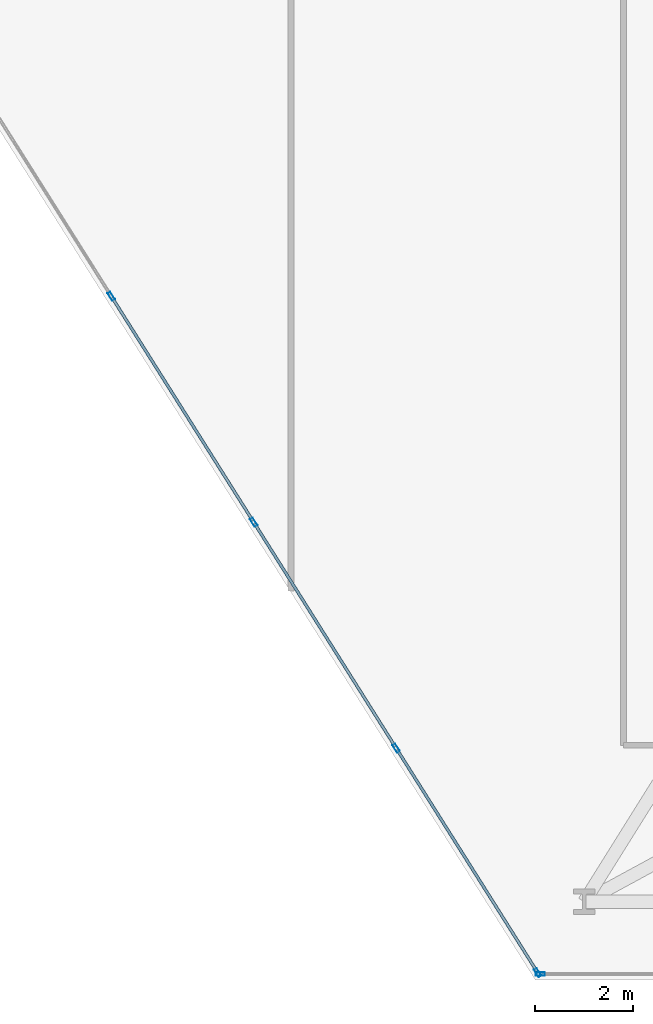
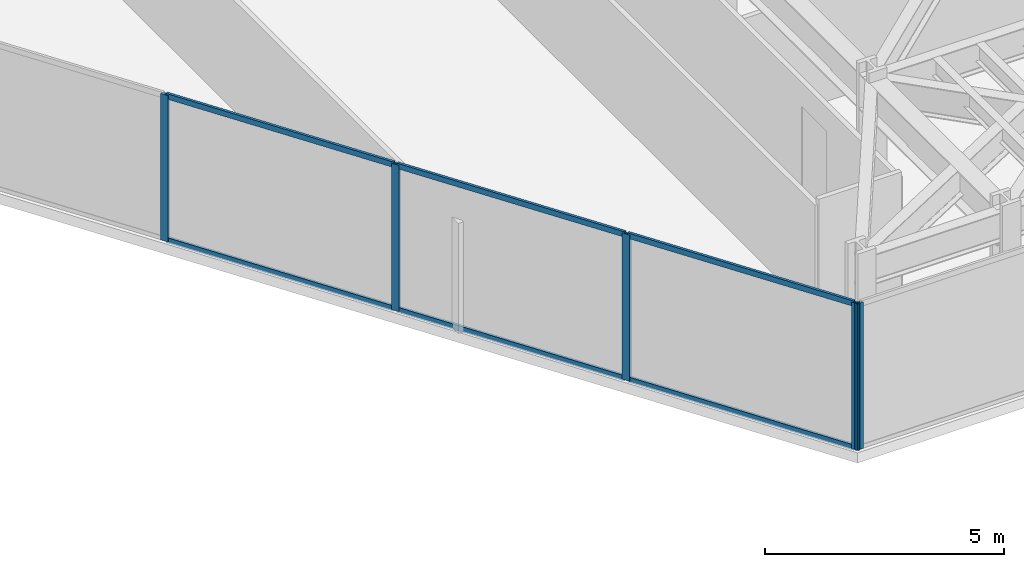
# One storey, part 12 of 25: 11 members, 2 elements without a shape of their own.
"""IFC4 building model written with IfcOpenShell, lengths in metres."""

from ifc_helpers import new_model, si_unit, direction, frame, origin, origin_2d, place, context, subcontext, project, spatial, hollow_rectangle, extrude, material, layer, layer_set, material_profile, profile_set, type_object, element, aggregate, save


model = new_model("IFC4")

# Units and contexts
model_context = context("Model", 3, precision=1e-05, world=origin(), true_north=direction((0.0, 1.0)))
body_context = subcontext(model_context, "Body", "Model", "MODEL_VIEW")
ifc_project = project(units=[si_unit("LENGTHUNIT", "METRE"), si_unit("AREAUNIT", "SQUARE_METRE"), si_unit("VOLUMEUNIT", "CUBIC_METRE"), si_unit("PLANEANGLEUNIT", "RADIAN"), si_unit("MASSUNIT", "GRAM", prefix="KILO")], contexts=[model_context])

# Site, building, storey
site_placement = place(None, origin())
site = spatial("IfcSite", under=ifc_project, at=site_placement, CompositionType="ELEMENT")
building_placement = place(site_placement, origin())
building = spatial("IfcBuilding", under=site, at=building_placement, Name="Kravanh Interchange Tower", CompositionType="ELEMENT")
storey_placement = place(building_placement, frame((0.0, 0.0, 49.5)))
storey = spatial("IfcBuildingStorey", under=building, at=storey_placement, Name="L11", CompositionType="ELEMENT", Elevation=49.5)

# Curtain wall, member
ifc_material_1 = material(Name="Anodised Bronze Aluminium", Category="aluminium")
ifc_layer = layer(ifc_material_1, 0.179931640625)
ifc_layer_set = layer_set([ifc_layer], Name="Unitised Curtain Wall System CW-Z1 Lower Office")
curtain_wall_type = type_object("IfcCurtainWallType", Name="Unitised Curtain Wall System CW-Z1 Lower Office", PredefinedType="NOTDEFINED", material=ifc_layer_set)
curtain_wall_1_placement = place(storey_placement, origin())
curtain_wall_1 = element("IfcCurtainWall", 1, at=curtain_wall_1_placement, inside=storey, type_object=curtain_wall_type, Name="L11 Unitised Curtain Wall CW-L11-03", PredefinedType="NOTDEFINED")
ifc_material_2 = material(Name="Anodised Bronze Aluminium", Category="aluminium")
ifc_material_profile_1 = material_profile(ifc_material_2, hollow_rectangle(XDim=0.070068359375, YDim=0.179931640625, WallThickness=0.00390625, at=origin_2d()), Name="ALU70X180X4")
ifc_profile_set_1 = profile_set([ifc_material_profile_1], Name="Anodised Bronze Aluminium")
member_type_1 = type_object("IfcMemberType", Name="Curtain Wall Mullion ALU70X180X4 Bronze", PredefinedType="MULLION", material=ifc_profile_set_1)
member_1_placement = place(storey_placement, frame((51.601318359375, 1.1201171875, 0.0), z_axis=(0.0, 0.0, 1.0), x_axis=(0.0, -1.0, 0.0)))
member_1 = element("IfcMember", 2, at=member_1_placement, type_object=member_type_1, Name="CW-Z1 mullion 3", PredefinedType="MULLION", context=body_context, shape_type="SweptSolid", body=[
    extrude(hollow_rectangle(XDim=0.070068359375, YDim=0.179931640625, WallThickness=0.00390625, at=origin_2d()), origin(), (0.0, 0.0, 1.0), 3.739990234375),
])
aggregate(curtain_wall_1, [member_1])

# Curtain wall, members
curtain_wall_2_placement = place(storey_placement, origin())
curtain_wall_2 = element("IfcCurtainWall", 3, at=curtain_wall_2_placement, inside=storey, type_object=curtain_wall_type, Name="L11 Unitised Curtain Wall CW-L11-04", PredefinedType="NOTDEFINED")
member_2_placement = place(storey_placement, frame((51.547607421875, 1.149658203125, 0.0), z_axis=(0.0, 0.0, 1.0), x_axis=(-0.845925530786, -0.53330103728, 0.0)))
member_2 = element("IfcMember", 4, at=member_2_placement, type_object=member_type_1, Name="CW-Z1 mullion 1", PredefinedType="MULLION", context=body_context, shape_type="SweptSolid", body=[
    extrude(hollow_rectangle(XDim=0.070068359375, YDim=0.179931640625, WallThickness=0.00390625, at=origin_2d()), origin(), (0.0, 0.0, 1.0), 3.739990234375),
])
member_3_placement = place(storey_placement, frame((48.653076171875, 5.740966796875, 0.0), z_axis=(0.0, 0.0, 1.0), x_axis=(-0.845925530786, -0.53330103728, 0.0)))
member_3 = element("IfcMember", 5, at=member_3_placement, type_object=member_type_1, Name="CW-Z1 mullion 2", PredefinedType="MULLION", context=body_context, shape_type="SweptSolid", body=[
    extrude(hollow_rectangle(XDim=0.070068359375, YDim=0.179931640625, WallThickness=0.00390625, at=origin_2d()), origin(), (0.0, 0.0, 1.0), 3.739990234375),
])
member_4_placement = place(storey_placement, frame((45.73974609375, 10.362060546875, 0.0), z_axis=(0.0, 0.0, 1.0), x_axis=(-0.845925530786, -0.53330103728, 0.0)))
member_4 = element("IfcMember", 6, at=member_4_placement, type_object=member_type_1, Name="CW-Z1 mullion 3", PredefinedType="MULLION", context=body_context, shape_type="SweptSolid", body=[
    extrude(hollow_rectangle(XDim=0.070068359375, YDim=0.179931640625, WallThickness=0.00390625, at=origin_2d()), origin(), (0.0, 0.0, 1.0), 3.739990234375),
])
member_5_placement = place(storey_placement, frame((42.826416015625, 14.98291015625, 0.0), z_axis=(0.0, 0.0, 1.0), x_axis=(-0.845925530786, -0.53330103728, 0.0)))
member_5 = element("IfcMember", 7, at=member_5_placement, type_object=member_type_1, Name="CW-Z1 mullion 4", PredefinedType="MULLION", context=body_context, shape_type="SweptSolid", body=[
    extrude(hollow_rectangle(XDim=0.070068359375, YDim=0.179931640625, WallThickness=0.00390625, at=origin_2d()), origin(), (0.0, 0.0, 1.0), 3.739990234375),
])
ifc_material_3 = material(Name="Anodised Bronze Aluminium", Category="aluminium")
ifc_material_profile_2 = material_profile(ifc_material_3, hollow_rectangle(XDim=0.06005859375, YDim=0.139892578125, WallThickness=0.00390625, at=origin_2d()), Name="ALU60X140X4")
ifc_profile_set_2 = profile_set([ifc_material_profile_2], Name="Anodised Bronze Aluminium")
member_type_2 = type_object("IfcMemberType", Name="Curtain Wall Transom ALU60X140X4 Bronze", PredefinedType="USERDEFINED", material=ifc_profile_set_2)
member_6_placement = place(storey_placement, frame((51.52880859375, 1.17919921875, 0.030029296875), z_axis=(-0.533288163518, 0.845933646719, 0.0), x_axis=(-0.845933646719, -0.533288163518, 0.0)))
member_6 = element("IfcMember", 8, at=member_6_placement, type_object=member_type_2, Name="CW-Z1 transom 1.1", ObjectType="TRANSOM", PredefinedType="USERDEFINED", context=body_context, shape_type="SweptSolid", body=[
    extrude(hollow_rectangle(XDim=0.06005859375, YDim=0.139892578125, WallThickness=0.00390625, at=origin_2d()), origin(), (0.0, 0.0, 1.0), 5.357666015625),
])
member_7_placement = place(storey_placement, frame((51.52880859375, 1.17919921875, 3.7099609375), z_axis=(-0.533288163518, 0.845933646719, 0.0), x_axis=(-0.845933646719, -0.533288163518, 0.0)))
member_7 = element("IfcMember", 9, at=member_7_placement, type_object=member_type_2, Name="CW-Z1 transom 1.2", ObjectType="TRANSOM", PredefinedType="USERDEFINED", context=body_context, shape_type="SweptSolid", body=[
    extrude(hollow_rectangle(XDim=0.06005859375, YDim=0.139892578125, WallThickness=0.00390625, at=origin_2d()), origin(), (0.0, 0.0, 1.0), 5.357666015625),
])
member_8_placement = place(storey_placement, frame((48.63427734375, 5.7705078125, 0.030029296875), z_axis=(-0.533311487456, 0.84591894254, 0.0), x_axis=(-0.84591894254, -0.533311487456, 0.0)))
member_8 = element("IfcMember", 10, at=member_8_placement, type_object=member_type_2, Name="CW-Z1 transom 2.1", ObjectType="TRANSOM", PredefinedType="USERDEFINED", context=body_context, shape_type="SweptSolid", body=[
    extrude(hollow_rectangle(XDim=0.06005859375, YDim=0.139892578125, WallThickness=0.00390625, at=origin_2d()), origin(), (0.0, 0.0, 1.0), 5.392578125),
])
member_9_placement = place(storey_placement, frame((48.63427734375, 5.7705078125, 3.7099609375), z_axis=(-0.533311487456, 0.84591894254, 0.0), x_axis=(-0.84591894254, -0.533311487456, 0.0)))
member_9 = element("IfcMember", 11, at=member_9_placement, type_object=member_type_2, Name="CW-Z1 transom 2.2", ObjectType="TRANSOM", PredefinedType="USERDEFINED", context=body_context, shape_type="SweptSolid", body=[
    extrude(hollow_rectangle(XDim=0.06005859375, YDim=0.139892578125, WallThickness=0.00390625, at=origin_2d()), origin(), (0.0, 0.0, 1.0), 5.392578125),
])
member_10_placement = place(storey_placement, frame((45.720947265625, 10.3916015625, 0.030029296875), z_axis=(-0.533279090152, 0.845939366626, 0.0), x_axis=(-0.845939366626, -0.533279090152, 0.0)))
member_10 = element("IfcMember", 12, at=member_10_placement, type_object=member_type_2, Name="CW-Z1 transom 3.1", ObjectType="TRANSOM", PredefinedType="USERDEFINED", context=body_context, shape_type="SweptSolid", body=[
    extrude(hollow_rectangle(XDim=0.06005859375, YDim=0.139892578125, WallThickness=0.00390625, at=origin_2d()), origin(), (0.0, 0.0, 1.0), 5.392578125),
])
member_11_placement = place(storey_placement, frame((45.720947265625, 10.3916015625, 3.7099609375), z_axis=(-0.533279090152, 0.845939366626, 0.0), x_axis=(-0.845939366626, -0.533279090152, 0.0)))
member_11 = element("IfcMember", 13, at=member_11_placement, type_object=member_type_2, Name="CW-Z1 transom 3.2", ObjectType="TRANSOM", PredefinedType="USERDEFINED", context=body_context, shape_type="SweptSolid", body=[
    extrude(hollow_rectangle(XDim=0.06005859375, YDim=0.139892578125, WallThickness=0.00390625, at=origin_2d()), origin(), (0.0, 0.0, 1.0), 5.392578125),
])
aggregate(curtain_wall_2, [member_2, member_3, member_4, member_5, member_6, member_7, member_8, member_9, member_10, member_11])

save(model, "model.ifc")
